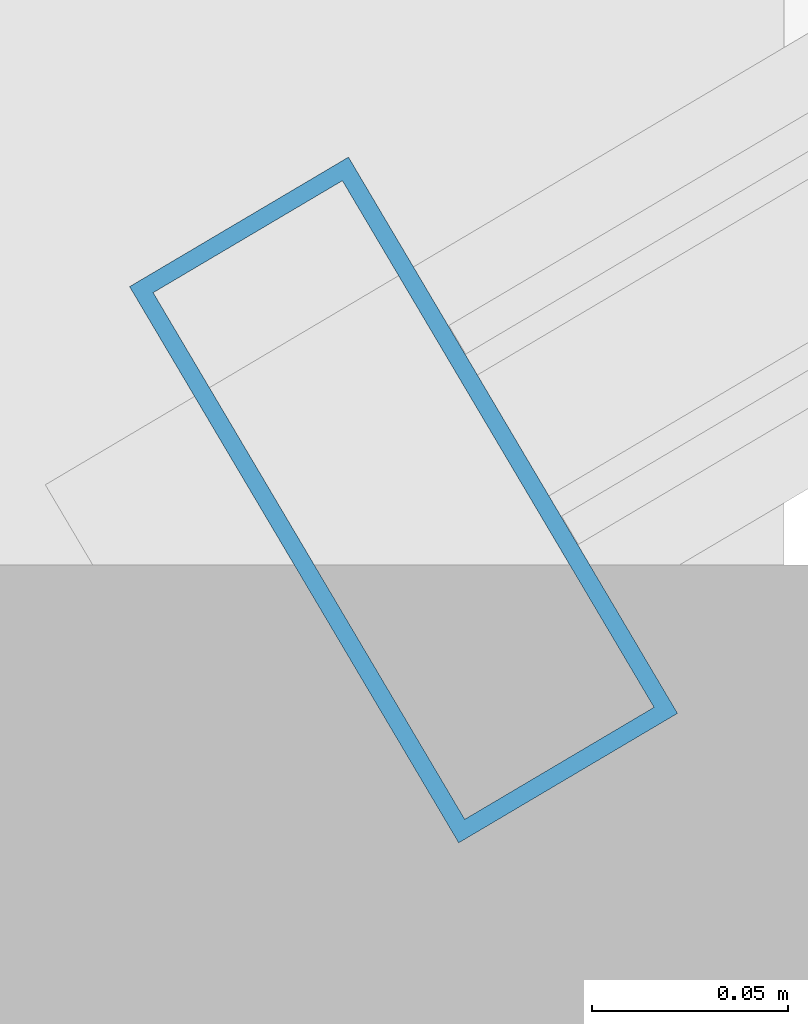
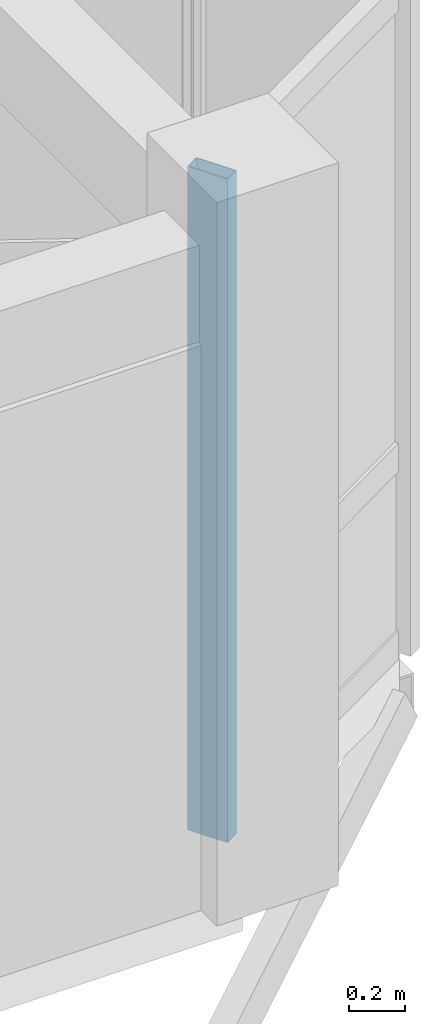
# One storey, part 21 of 65: 1 member, 1 element without a shape of its own.
"""IFC4 building model written with IfcOpenShell, lengths in metres."""

from ifc_helpers import new_model, si_unit, direction, frame, origin, origin_2d, place, context, subcontext, project, spatial, hollow_rectangle, extrude, material, layer, layer_set, material_profile, profile_set, type_object, element, aggregate, save


model = new_model("IFC4")

# Units and contexts
model_context = context("Model", 3, precision=1e-05, world=origin(), true_north=direction((0.0, 1.0)))
body_context = subcontext(model_context, "Body", "Model", "MODEL_VIEW")
ifc_project = project(units=[si_unit("LENGTHUNIT", "METRE"), si_unit("AREAUNIT", "SQUARE_METRE"), si_unit("VOLUMEUNIT", "CUBIC_METRE"), si_unit("PLANEANGLEUNIT", "RADIAN"), si_unit("MASSUNIT", "GRAM", prefix="KILO"), si_unit("THERMODYNAMICTEMPERATUREUNIT", "KELVIN"), si_unit("POWERUNIT", "WATT")], contexts=[model_context])

# Site, building, storey
site_placement = place(None, origin())
site = spatial("IfcSite", under=ifc_project, at=site_placement, CompositionType="ELEMENT")
building_placement = place(site_placement, origin())
building = spatial("IfcBuilding", under=site, at=building_placement, Name="Tavuni Mirador Residences", CompositionType="ELEMENT")
storey_placement = place(building_placement, frame((0.0, 0.0, 29.699951171875)))
storey = spatial("IfcBuildingStorey", under=building, at=storey_placement, Name="L09", CompositionType="ELEMENT", Elevation=29.699951171875)

# Curtain wall, member
ifc_material = material(Name="Anodised aluminium", Category="aluminium")
ifc_layer = layer(ifc_material, 0.159912109375, Name="Anodised aluminium", Category="aluminium")
ifc_layer_set = layer_set([ifc_layer], Name="Anodised aluminium")
curtain_wall_type = type_object("IfcCurtainWallType", Name="CWT-MIR-D", PredefinedType="NOTDEFINED", material=ifc_layer_set)
curtain_wall_placement = place(storey_placement, origin())
curtain_wall = element("IfcCurtainWall", 1, at=curtain_wall_placement, inside=storey, type_object=curtain_wall_type, Name="CW-MIR-D-E1-L09-M1", PredefinedType="NOTDEFINED")
ifc_material_profile = material_profile(ifc_material, hollow_rectangle(XDim=0.06494140625, YDim=0.1650390625, WallThickness=0.00439453125, at=origin_2d()), Name="ALU 65x165x4.5", Category="aluminium")
ifc_profile_set = profile_set([ifc_material_profile], Name="Anodised aluminium")
member_type = type_object("IfcMemberType", Name="CWM-165", PredefinedType="MULLION", material=ifc_profile_set)
member_placement = place(storey_placement, frame((118.827880859375, 86.66650390625, 0.0), z_axis=(0.0, 0.0, 1.0), x_axis=(0.860640830284, 0.509212491254, 0.0)))
member = element("IfcMember", 2, at=member_placement, type_object=member_type, Name="CW-04 mullion 1", PredefinedType="MULLION", context=body_context, shape_type="SweptSolid", body=[
    extrude(hollow_rectangle(XDim=0.06494140625, YDim=0.1650390625, WallThickness=0.00439453125, at=origin_2d()), origin(), (0.0, 0.0, 1.0), 2.89013671875),
])
aggregate(curtain_wall, [member])

save(model, "model.ifc")
